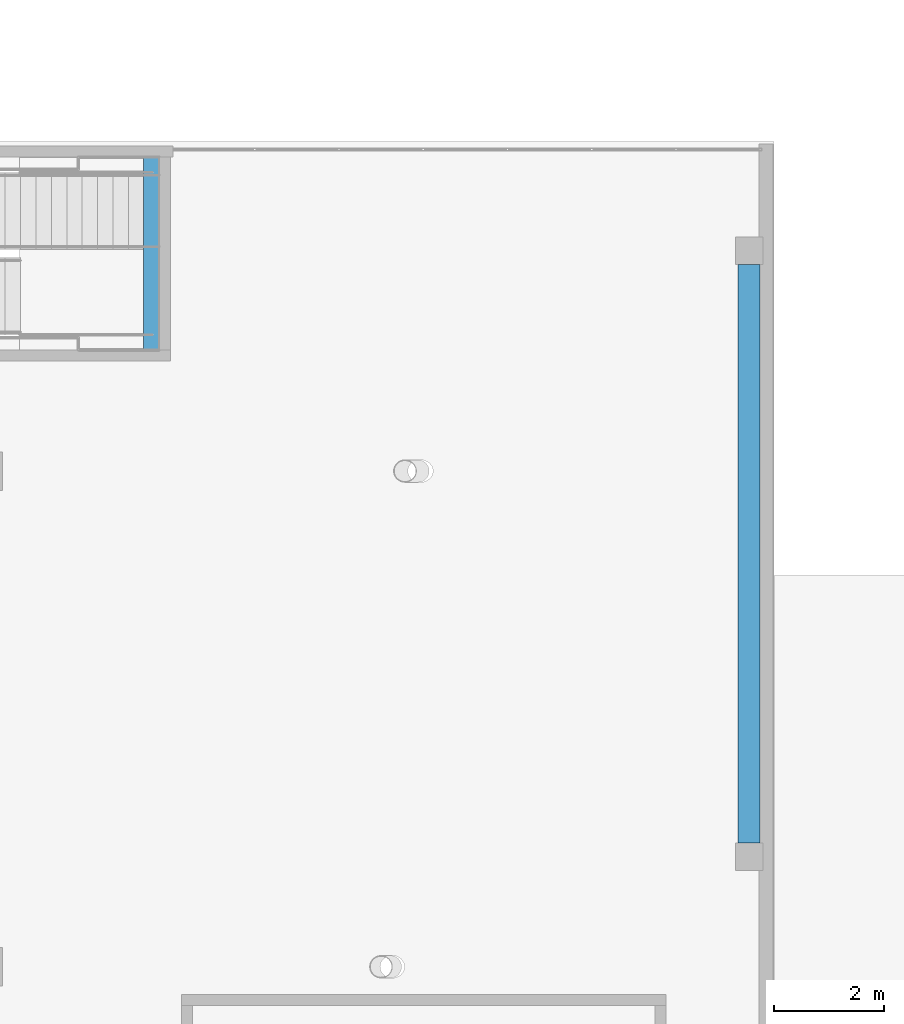
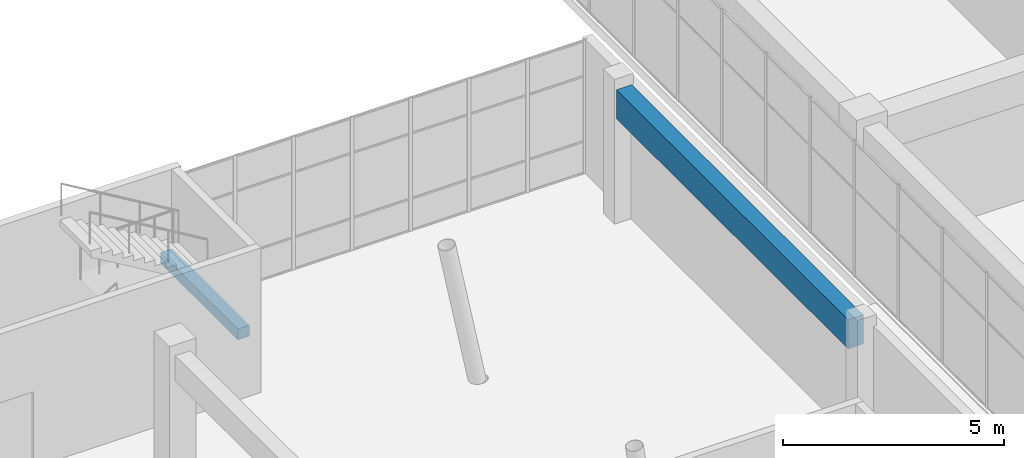
# One storey, part 24 of 66: 2 beams.
"""IFC4 building model written with IfcOpenShell, lengths in metres."""

from ifc_helpers import new_model, si_unit, direction, frame, origin, origin_2d, place, context, subcontext, project, spatial, rectangle, extrude, material, material_profile, profile_set, type_object, element, save


model = new_model("IFC4")

# Units and contexts
model_context = context("Model", 3, precision=1e-05, world=origin(), true_north=direction((0.0, 1.0)))
body_context = subcontext(model_context, "Body", "Model", "MODEL_VIEW")
ifc_project = project(units=[si_unit("LENGTHUNIT", "METRE"), si_unit("AREAUNIT", "SQUARE_METRE"), si_unit("VOLUMEUNIT", "CUBIC_METRE"), si_unit("PLANEANGLEUNIT", "RADIAN"), si_unit("MASSUNIT", "GRAM", prefix="KILO")], contexts=[model_context])

# Site, building, storey
site_placement = place(None, origin())
site = spatial("IfcSite", under=ifc_project, at=site_placement, CompositionType="ELEMENT")
building_placement = place(site_placement, origin())
building = spatial("IfcBuilding", under=site, at=building_placement, Name="Tuart Plaza Theatre", CompositionType="ELEMENT")
storey_placement = place(building_placement, frame((0.0, 0.0, 5.5)))
storey = spatial("IfcBuildingStorey", under=building, at=storey_placement, Name="L01", CompositionType="ELEMENT", Elevation=5.5)

# Beams
ifc_material_1 = material(Name="Concrete N40 (40 MPa)", Category="concrete")
ifc_material_profile_1 = material_profile(ifc_material_1, rectangle(XDim=0.300048828125, YDim=0.300048828125, at=origin_2d()), Name="BEAM 300x300 Concrete N40 (40 MPa)")
ifc_profile_set_1 = profile_set([ifc_material_profile_1], Name="Concrete N40 (40 MPa)")
beam_type_1 = type_object("IfcBeamType", Name="BEAM 300x300 Concrete N40 (40 MPa)", PredefinedType="BEAM", material=ifc_profile_set_1)
beam_1_placement = place(storey_placement, frame((99.06005859375, 76.199951171875, 1.64990234375), z_axis=(0.0, 1.0, 0.0), x_axis=(-1.0, 0.0, 0.0)))
element("IfcBeam", 1, at=beam_1_placement, inside=storey, type_object=beam_type_1, Name="RB57", PredefinedType="BEAM", context=body_context, shape_type="SweptSolid", body=[
    extrude(rectangle(XDim=0.300048828125, YDim=0.300048828125, at=origin_2d()), origin(), (0.0, 0.0, 1.0), 3.5),
])
ifc_material_2 = material(Name="Concrete N40 (40 MPa)", Category="concrete")
ifc_material_profile_2 = material_profile(ifc_material_2, rectangle(XDim=0.39990234375, YDim=0.800048828125, at=origin_2d()), Name="BEAM 400x800 Concrete N40 (40 MPa)")
ifc_profile_set_2 = profile_set([ifc_material_profile_2], Name="Concrete N40 (40 MPa)")
beam_type_2 = type_object("IfcBeamType", Name="BEAM 400x800 Concrete N40 (40 MPa)", PredefinedType="BEAM", material=ifc_profile_set_2)
beam_2_placement = place(storey_placement, frame((109.909912109375, 77.75, 3.300048828125), z_axis=(0.0, -1.0, 0.0), x_axis=(1.0, 0.0, 0.0)))
element("IfcBeam", 2, at=beam_2_placement, inside=storey, type_object=beam_type_2, Name="RB464", PredefinedType="BEAM", context=body_context, shape_type="SweptSolid", body=[
    extrude(rectangle(XDim=0.39990234375, YDim=0.800048828125, at=origin_2d()), origin(), (0.0, 0.0, 1.0), 10.5),
])

save(model, "model.ifc")
